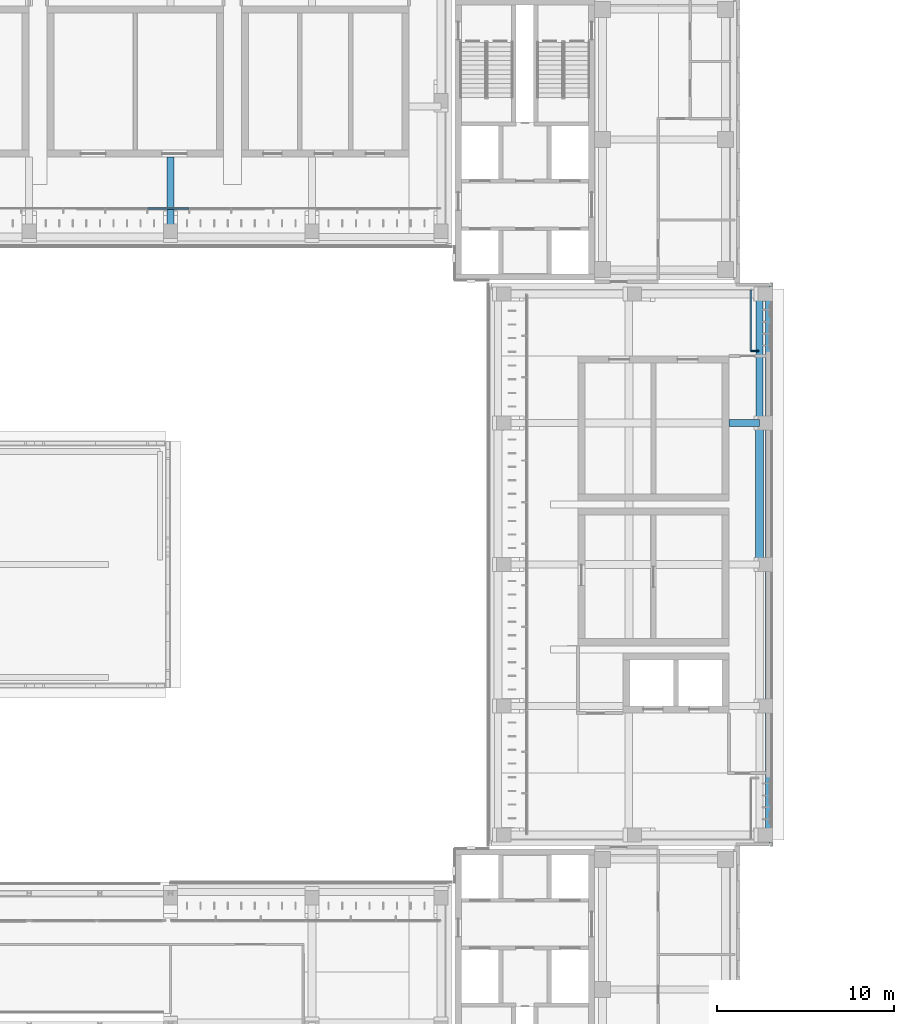
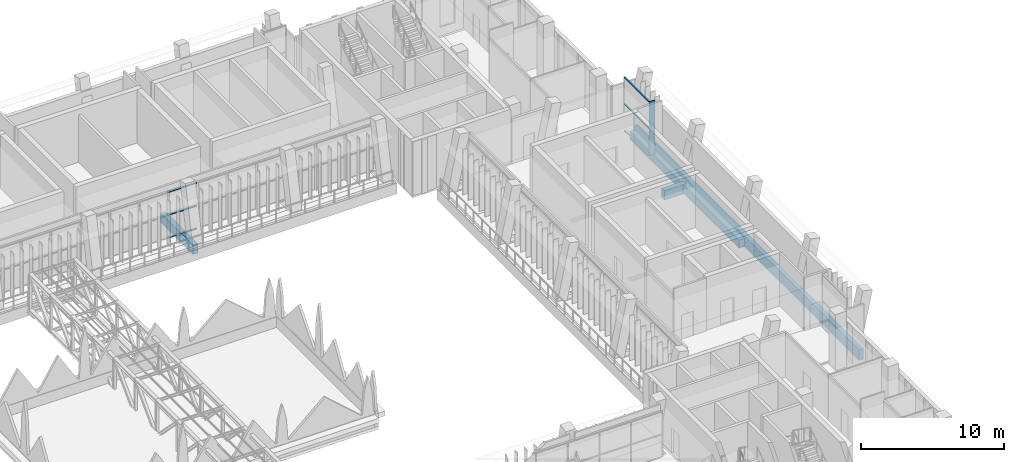
# One storey, part 81 of 141: 7 members, 5 beams, 2 elements without a shape of their own.
"""IFC4 building model written with IfcOpenShell, lengths in metres."""

from ifc_helpers import new_model, si_unit, direction, frame, origin, origin_2d, place, context, subcontext, project, spatial, rectangle, extrude, material, material_profile, profile_set, type_object, element, aggregate, save


model = new_model("IFC4")

# Units and contexts
model_context = context("Model", 3, precision=1e-05, world=origin(), true_north=direction((0.0, 1.0)))
body_context = subcontext(model_context, "Body", "Model", "MODEL_VIEW")
ifc_project = project(units=[si_unit("LENGTHUNIT", "METRE"), si_unit("AREAUNIT", "SQUARE_METRE"), si_unit("VOLUMEUNIT", "CUBIC_METRE"), si_unit("PLANEANGLEUNIT", "RADIAN"), si_unit("MASSUNIT", "GRAM", prefix="KILO")], contexts=[model_context])

# Site, building, storey
site_placement = place(None, origin())
site = spatial("IfcSite", under=ifc_project, at=site_placement, CompositionType="ELEMENT")
building_placement = place(site_placement, origin())
building = spatial("IfcBuilding", under=site, at=building_placement, Name="Lantern Court Media Centre", CompositionType="ELEMENT")
storey_placement = place(building_placement, frame((0.0, 0.0, 9.60009765625)))
storey = spatial("IfcBuildingStorey", under=building, at=storey_placement, Name="L02", CompositionType="ELEMENT", Elevation=9.60009765625)

# Curtain wall, member
ifc_material_1 = material(Name="Curtain wall bay 3000")
curtain_wall_type_1 = type_object("IfcCurtainWallType", Name="Curtain wall bay 3000", PredefinedType="NOTDEFINED", material=ifc_material_1)
curtain_wall_1_placement = place(storey_placement, origin())
curtain_wall_1 = element("IfcCurtainWall", 1, at=curtain_wall_1_placement, inside=storey, type_object=curtain_wall_type_1, Name="Curtain wall E outer L02", PredefinedType="NOTDEFINED")
ifc_material_2 = material(Name="Anodised aluminium", Category="aluminium")
ifc_material_profile_1 = material_profile(ifc_material_2, rectangle(XDim=0.449951171875, YDim=0.06005859375, at=origin_2d()), Name="AL 60x450")
ifc_profile_set_1 = profile_set([ifc_material_profile_1], Name="Anodised aluminium")
member_type_1 = type_object("IfcMemberType", Name="Curtain wall mullion 60x450", PredefinedType="MULLION", material=ifc_profile_set_1)
member_1_placement = place(storey_placement, frame((97.044921875, 92.080078125, 0.0), z_axis=(0.0, 0.0, 1.0), x_axis=(-1.0, 0.0, 0.0)))
member_1 = element("IfcMember", 2, at=member_1_placement, type_object=member_type_1, Name="CW1 mullion 1", PredefinedType="MULLION", context=body_context, shape_type="SweptSolid", body=[
    extrude(rectangle(XDim=0.449951171875, YDim=0.06005859375, at=origin_2d()), origin(), (0.0, 0.0, 1.0), 4.579833984375),
])

# Curtain wall, members
ifc_material_3 = material(Name="Curtain wall bay 2400")
curtain_wall_type_2 = type_object("IfcCurtainWallType", Name="Curtain wall bay 2400", PredefinedType="NOTDEFINED", material=ifc_material_3)
curtain_wall_2_placement = place(storey_placement, origin())
curtain_wall_2 = element("IfcCurtainWall", 3, at=curtain_wall_2_placement, inside=storey, type_object=curtain_wall_type_2, Name="Curtain wall N inner L02", PredefinedType="NOTDEFINED")
ifc_material_profile_2 = material_profile(ifc_material_2, rectangle(XDim=0.10009765625, YDim=0.050048828125, at=origin_2d()), Name="AL 50x100")
ifc_profile_set_2 = profile_set([ifc_material_profile_2], Name="Anodised aluminium")
member_type_2 = type_object("IfcMemberType", Name="Curtain wall transom 100x50", PredefinedType="USERDEFINED", material=ifc_profile_set_2)
member_2_placement = place(storey_placement, frame((62.70751953125, 100.14990234375, 0.02490234375), z_axis=(1.0, 0.0, 0.0), x_axis=(0.0, 1.0, 0.0)))
member_2 = element("IfcMember", 4, at=member_2_placement, type_object=member_type_2, Name="CW2 transom 17.1", ObjectType="TRANSOM", PredefinedType="USERDEFINED", context=body_context, shape_type="SweptSolid", body=[
    extrude(rectangle(XDim=0.10009765625, YDim=0.050048828125, at=origin_2d()), origin(), (0.0, 0.0, 1.0), 2.323974609375),
])
member_3_placement = place(storey_placement, frame((62.70751953125, 100.14990234375, 1.974853515625), z_axis=(1.0, 0.0, 0.0), x_axis=(0.0, 1.0, 0.0)))
member_3 = element("IfcMember", 5, at=member_3_placement, type_object=member_type_2, Name="CW2 transom 17.2", ObjectType="TRANSOM", PredefinedType="USERDEFINED", context=body_context, shape_type="SweptSolid", body=[
    extrude(rectangle(XDim=0.10009765625, YDim=0.050048828125, at=origin_2d()), origin(), (0.0, 0.0, 1.0), 2.323974609375),
])
member_4_placement = place(storey_placement, frame((62.70751953125, 100.14990234375, 3.9248046875), z_axis=(1.0, 0.0, 0.0), x_axis=(0.0, 1.0, 0.0)))
member_4 = element("IfcMember", 6, at=member_4_placement, type_object=member_type_2, Name="CW2 transom 17.3", ObjectType="TRANSOM", PredefinedType="USERDEFINED", context=body_context, shape_type="SweptSolid", body=[
    extrude(rectangle(XDim=0.10009765625, YDim=0.050048828125, at=origin_2d()), origin(), (0.0, 0.0, 1.0), 2.323974609375),
])
aggregate(curtain_wall_2, [member_2, member_3, member_4])

# Member
ifc_material_profile_3 = material_profile(ifc_material_2, rectangle(XDim=0.1201171875, YDim=0.06005859375, at=origin_2d()), Name="AL 60x120")
ifc_profile_set_3 = profile_set([ifc_material_profile_3], Name="Anodised aluminium")
member_type_3 = type_object("IfcMemberType", Name="Curtain wall transom 60x120", PredefinedType="USERDEFINED", material=ifc_profile_set_3)
member_5_placement = place(storey_placement, frame((96.85009765625, 92.110107421875, 0.02978515625), z_axis=(0.0, 1.0, 0.0), x_axis=(-1.0, 0.0, 0.0)))
member_5 = element("IfcMember", 7, at=member_5_placement, type_object=member_type_3, Name="CW1 transom 1.1", ObjectType="TRANSOM", PredefinedType="USERDEFINED", context=body_context, shape_type="SweptSolid", body=[
    extrude(rectangle(XDim=0.1201171875, YDim=0.06005859375, at=origin_2d()), origin(), (0.0, 0.0, 1.0), 3.409912109375),
])

member_6_placement = place(storey_placement, frame((96.85009765625, 92.110107421875, 2.289794921875), z_axis=(0.0, 1.0, 0.0), x_axis=(-1.0, 0.0, 0.0)))
member_6 = element("IfcMember", 8, at=member_6_placement, type_object=member_type_3, Name="CW1 transom 1.2", ObjectType="TRANSOM", PredefinedType="USERDEFINED", context=body_context, shape_type="SweptSolid", body=[
    extrude(rectangle(XDim=0.1201171875, YDim=0.06005859375, at=origin_2d()), origin(), (0.0, 0.0, 1.0), 3.409912109375),
])

member_7_placement = place(storey_placement, frame((96.85009765625, 92.110107421875, 4.5498046875), z_axis=(0.0, 1.0, 0.0), x_axis=(-1.0, 0.0, 0.0)))
member_7 = element("IfcMember", 9, at=member_7_placement, type_object=member_type_3, Name="CW1 transom 1.3", ObjectType="TRANSOM", PredefinedType="USERDEFINED", context=body_context, shape_type="SweptSolid", body=[
    extrude(rectangle(XDim=0.1201171875, YDim=0.06005859375, at=origin_2d()), origin(), (0.0, 0.0, 1.0), 3.409912109375),
])

aggregate(curtain_wall_1, [member_1, member_5, member_6, member_7])

# Beams
ifc_material_4 = material(Name="Concrete C35", Category="concrete")
ifc_material_profile_4 = material_profile(ifc_material_4, rectangle(XDim=0.35009765625, YDim=0.89990234375, at=origin_2d()), Name="RC 350x900")
ifc_profile_set_4 = profile_set([ifc_material_profile_4], Name="Concrete C35")
beam_type_1 = type_object("IfcBeamType", Name="RC BEAM 350x900", PredefinedType="BEAM", material=ifc_profile_set_4)
beam_1_placement = place(storey_placement, frame((97.85009765625, 64.25, -0.4501953125), z_axis=(0.0, 1.0, 0.0), x_axis=(-1.0, 0.0, 0.0)))
element("IfcBeam", 10, at=beam_1_placement, inside=storey, type_object=beam_type_1, Name="EB-E-L02-B", PredefinedType="BEAM", context=body_context, shape_type="SweptSolid", body=[
    extrude(rectangle(XDim=0.35009765625, YDim=0.89990234375, at=origin_2d()), origin(), (0.0, 0.0, 1.0), 31.5),
])
ifc_material_profile_5 = material_profile(ifc_material_4, rectangle(XDim=0.39990234375, YDim=0.699951171875, at=origin_2d()), Name="RC 400x700")
ifc_profile_set_5 = profile_set([ifc_material_profile_5], Name="Concrete C35")
beam_type_2 = type_object("IfcBeamType", Name="RC BEAM 400x700", PredefinedType="BEAM", material=ifc_profile_set_5)
beam_2_placement = place(storey_placement, frame((97.3271484375, 88.0, -0.35009765625), z_axis=(0.0, 1.0, 0.0), x_axis=(-1.0, 0.0, 0.0)))
element("IfcBeam", 11, at=beam_2_placement, inside=storey, type_object=beam_type_2, Name="LB-E-L02-2-3", PredefinedType="BEAM", context=body_context, shape_type="SweptSolid", body=[
    extrude(rectangle(XDim=0.39990234375, YDim=0.699951171875, at=origin_2d()), origin(), (0.0, 0.0, 1.0), 7.300048828125),
])
ifc_material_profile_6 = material_profile(ifc_material_4, rectangle(XDim=0.39990234375, YDim=0.800048828125, at=origin_2d()), Name="RC 400x800")
ifc_profile_set_6 = profile_set([ifc_material_profile_6], Name="Concrete C35")
beam_type_3 = type_object("IfcBeamType", Name="RC BEAM 400x800", PredefinedType="BEAM", material=ifc_profile_set_6)
beam_3_placement = place(storey_placement, frame((64.0, 98.5166015625, -0.400146484375), z_axis=(0.0, 1.0, 0.0), x_axis=(-1.0, 0.0, 0.0)))
element("IfcBeam", 12, at=beam_3_placement, inside=storey, type_object=beam_type_3, Name="TB-N-L02-5-1", PredefinedType="BEAM", context=body_context, shape_type="SweptSolid", body=[
    extrude(rectangle(XDim=0.39990234375, YDim=0.800048828125, at=origin_2d()), origin(), (0.0, 0.0, 1.0), 4.533447265625),
])
beam_4_placement = place(storey_placement, frame((95.60009765625, 88.0, -0.400146484375), z_axis=(1.0, 0.0, 0.0), x_axis=(0.0, 1.0, 0.0)))
element("IfcBeam", 13, at=beam_4_placement, inside=storey, type_object=beam_type_3, Name="TB-E-L02-3-12", PredefinedType="BEAM", context=body_context, shape_type="SweptSolid", body=[
    extrude(rectangle(XDim=0.39990234375, YDim=0.800048828125, at=origin_2d()), origin(), (0.0, 0.0, 1.0), 1.716552734375),
])
ifc_material_profile_7 = material_profile(ifc_material_4, rectangle(XDim=0.449951171875, YDim=0.699951171875, at=origin_2d()), Name="RC 450x700")
ifc_profile_set_7 = profile_set([ifc_material_profile_7], Name="Concrete C35")
beam_type_4 = type_object("IfcBeamType", Name="RC BEAM 450x700", PredefinedType="BEAM", material=ifc_profile_set_7)
beam_5_placement = place(storey_placement, frame((97.3271484375, 80.0, -0.35009765625), z_axis=(0.0, 1.0, 0.0), x_axis=(-1.0, 0.0, 0.0)))
element("IfcBeam", 14, at=beam_5_placement, inside=storey, type_object=beam_type_4, Name="LB-E-L02-2-2", PredefinedType="BEAM", context=body_context, shape_type="SweptSolid", body=[
    extrude(rectangle(XDim=0.449951171875, YDim=0.699951171875, at=origin_2d()), origin(), (0.0, 0.0, 1.0), 8.0),
])

save(model, "model.ifc")
